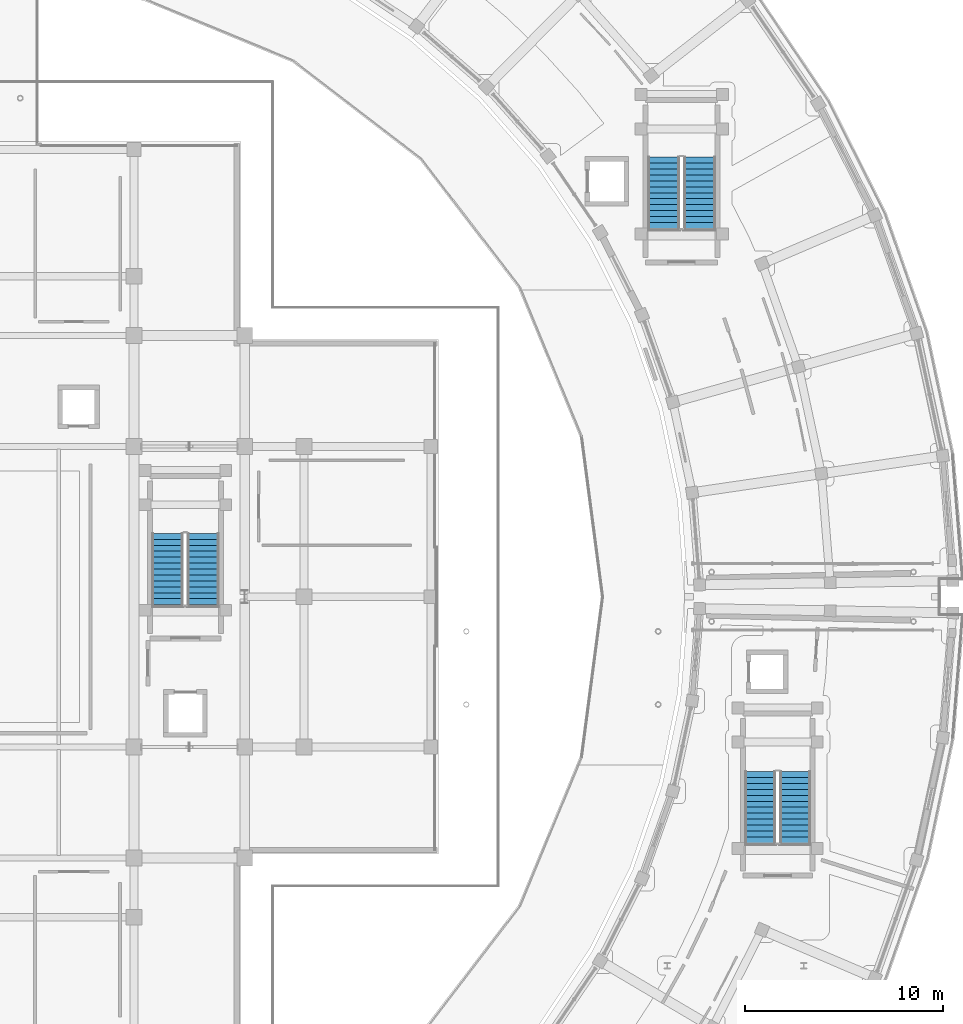
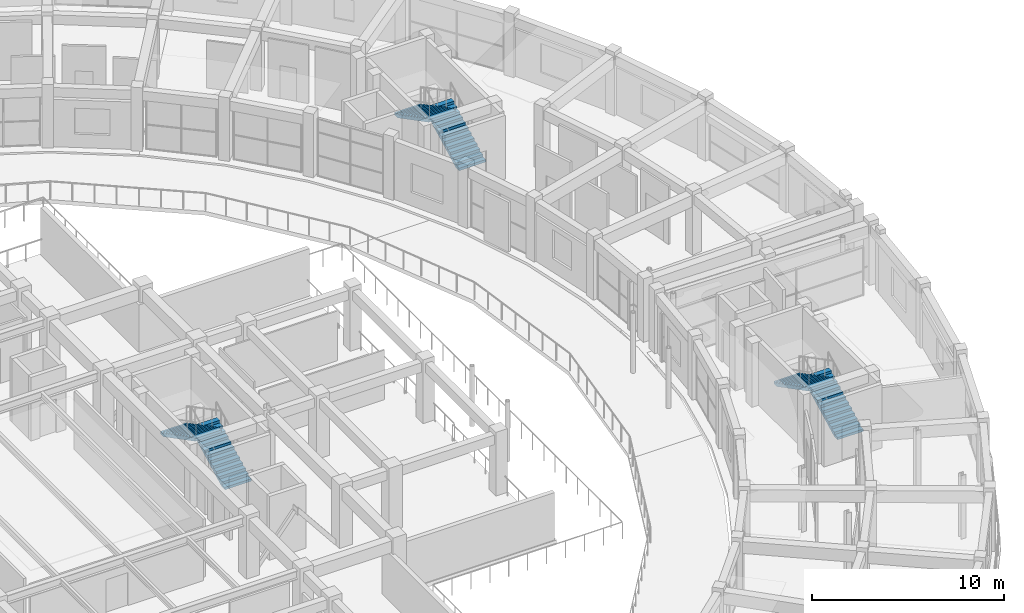
# One storey, part 63 of 83: 6 stair flights, 3 elements without a shape of their own.
"""IFC4 building model written with IfcOpenShell, lengths in metres."""

from ifc_helpers import new_model, si_unit, direction, frame, origin, place, context, subcontext, project, spatial, polyline, outline, extrude, material, type_object, element, aggregate, save


model = new_model("IFC4")

# Units and contexts
model_context = context("Model", 3, precision=1e-05, world=origin(), true_north=direction((0.0, 1.0)))
body_context = subcontext(model_context, "Body", "Model", "MODEL_VIEW")
ifc_project = project(units=[si_unit("LENGTHUNIT", "METRE"), si_unit("AREAUNIT", "SQUARE_METRE"), si_unit("VOLUMEUNIT", "CUBIC_METRE"), si_unit("PLANEANGLEUNIT", "RADIAN"), si_unit("MASSUNIT", "GRAM", prefix="KILO")], contexts=[model_context])

# Site, building, storey
site_placement = place(None, origin())
site = spatial("IfcSite", under=ifc_project, at=site_placement, CompositionType="ELEMENT")
building_placement = place(site_placement, origin())
building = spatial("IfcBuilding", under=site, at=building_placement, Name="Saryqyr Civic Hall", CompositionType="ELEMENT")
storey_placement = place(building_placement, frame((0.0, 0.0, 9.14990234375)))
storey = spatial("IfcBuildingStorey", under=building, at=storey_placement, Name="L02", CompositionType="ELEMENT", Elevation=9.14990234375)

# Stair, stair flights
ifc_material = material(Name="Concrete C35/45", Category="concrete")
stair_type_1 = type_object("IfcStairType", Name="INT-STR-ST-2", PredefinedType="HALF_TURN_STAIR", material=ifc_material)
stair_1_placement = place(storey_placement, origin())
stair_1 = element("IfcStair", 1, at=stair_1_placement, inside=storey, type_object=stair_type_1, Name="L02 Protected Exit Stair ST-2", PredefinedType="HALF_TURN_STAIR")
stair_flight_type_1 = type_object("IfcStairFlightType", Name="INT-SFL-ST-2", PredefinedType="STRAIGHT", material=ifc_material)
stair_flight_1_placement = place(storey_placement, frame((68.10009765625, 83.60009765625, 0.0), z_axis=(0.0, 0.0, 1.0), x_axis=(0.0, 1.0, 0.0)))
stair_flight_1 = element("IfcStairFlight", 2, at=stair_flight_1_placement, type_object=stair_flight_type_1, Name="ST-2 flight 1", NumberOfRisers=13, NumberOfTreads=12, PredefinedType="STRAIGHT", RiserHeight=0.155769231, TreadLength=0.3, context=body_context, shape_type="SweptSolid", body=[
    extrude(outline(polyline([(0.0, 0.0), (0.0, 0.15576171875), (0.300048828125, 0.15576171875), (0.300048828125, 0.3115234375), (0.60009765625, 0.3115234375), (0.60009765625, 0.46728515625), (0.89990234375, 0.46728515625), (0.89990234375, 0.623046875), (1.199951171875, 0.623046875), (1.199951171875, 0.77880859375), (1.5, 0.77880859375), (1.5, 0.9345703125), (1.800048828125, 0.9345703125), (1.800048828125, 1.09033203125), (2.10009765625, 1.09033203125), (2.10009765625, 1.24609375), (2.39990234375, 1.24609375), (2.39990234375, 1.40185546875), (2.699951171875, 1.40185546875), (2.699951171875, 1.5576171875), (3.0, 1.5576171875), (3.0, 1.71337890625), (3.300048828125, 1.71337890625), (3.300048828125, 1.869140625), (3.60009765625, 1.869140625), (3.60009765625, 2.02490234375), (3.60009765625, 1.700439453125), (0.3251953125, 0.0), (0.0, 0.0)])), frame((0.0, 0.800048828125, 0.0), z_axis=(0.0, -1.0, 0.0), x_axis=(1.0, 0.0, 0.0)), (0.0, 0.0, 1.0), 1.60009765625),
])
stair_flight_2_placement = place(storey_placement, frame((66.300048828125, 87.199951171875, 2.025146484375), z_axis=(0.0, 0.0, 1.0), x_axis=(0.0, -1.0, 0.0)))
stair_flight_2 = element("IfcStairFlight", 3, at=stair_flight_2_placement, type_object=stair_flight_type_1, Name="ST-2 flight 2", NumberOfRisers=13, NumberOfTreads=12, PredefinedType="STRAIGHT", RiserHeight=0.155769231, TreadLength=0.3, context=body_context, shape_type="SweptSolid", body=[
    extrude(outline(polyline([(0.0, 0.0), (0.0, 0.15576171875), (0.300048828125, 0.15576171875), (0.300048828125, 0.3115234375), (0.60009765625, 0.3115234375), (0.60009765625, 0.46728515625), (0.89990234375, 0.46728515625), (0.89990234375, 0.623046875), (1.199951171875, 0.623046875), (1.199951171875, 0.77880859375), (1.5, 0.77880859375), (1.5, 0.9345703125), (1.800048828125, 0.9345703125), (1.800048828125, 1.09033203125), (2.10009765625, 1.09033203125), (2.10009765625, 1.24609375), (2.39990234375, 1.24609375), (2.39990234375, 1.40185546875), (2.699951171875, 1.40185546875), (2.699951171875, 1.5576171875), (3.0, 1.5576171875), (3.0, 1.71337890625), (3.300048828125, 1.71337890625), (3.300048828125, 1.869140625), (3.60009765625, 1.869140625), (3.60009765625, 2.02490234375), (3.60009765625, 1.700439453125), (0.3251953125, 0.0), (0.0, 0.0)])), frame((0.0, 0.800048828125, 0.0), z_axis=(0.0, -1.0, 0.0), x_axis=(1.0, 0.0, 0.0)), (0.0, 0.0, 1.0), 1.60009765625),
])
aggregate(stair_1, [stair_flight_1, stair_flight_2])

stair_type_2 = type_object("IfcStairType", Name="INT-STR-ST-5", PredefinedType="HALF_TURN_STAIR", material=ifc_material)
stair_2_placement = place(storey_placement, origin())
stair_2 = element("IfcStair", 4, at=stair_2_placement, inside=storey, type_object=stair_type_2, Name="L02 Protected Exit Stair ST-5", PredefinedType="HALF_TURN_STAIR")
stair_flight_type_2 = type_object("IfcStairFlightType", Name="INT-SFL-ST-5", PredefinedType="STRAIGHT", material=ifc_material)
stair_flight_3_placement = place(storey_placement, frame((98.02001953125, 71.56005859375, 0.0), z_axis=(0.0, 0.0, 1.0), x_axis=(0.0, 1.0, 0.0)))
stair_flight_3 = element("IfcStairFlight", 5, at=stair_flight_3_placement, type_object=stair_flight_type_2, Name="ST-5 flight 1", NumberOfRisers=13, NumberOfTreads=12, PredefinedType="STRAIGHT", RiserHeight=0.155769231, TreadLength=0.3, context=body_context, shape_type="SweptSolid", body=[
    extrude(outline(polyline([(0.0, 0.0), (0.0, 0.15576171875), (0.300048828125, 0.15576171875), (0.300048828125, 0.3115234375), (0.60009765625, 0.3115234375), (0.60009765625, 0.46728515625), (0.89990234375, 0.46728515625), (0.89990234375, 0.623046875), (1.199951171875, 0.623046875), (1.199951171875, 0.77880859375), (1.5, 0.77880859375), (1.5, 0.9345703125), (1.800048828125, 0.9345703125), (1.800048828125, 1.09033203125), (2.10009765625, 1.09033203125), (2.10009765625, 1.24609375), (2.39990234375, 1.24609375), (2.39990234375, 1.40185546875), (2.699951171875, 1.40185546875), (2.699951171875, 1.5576171875), (3.0, 1.5576171875), (3.0, 1.71337890625), (3.300048828125, 1.71337890625), (3.300048828125, 1.869140625), (3.60009765625, 1.869140625), (3.60009765625, 2.02490234375), (3.60009765625, 1.700439453125), (0.3251953125, 0.0), (0.0, 0.0)])), frame((0.0, 0.780029296875, 0.0), z_axis=(0.0, -1.0, 0.0), x_axis=(1.0, 0.0, 0.0)), (0.0, 0.0, 1.0), 1.56005859375),
])
stair_flight_4_placement = place(storey_placement, frame((96.260009765625, 75.159912109375, 2.025146484375), z_axis=(0.0, 0.0, 1.0), x_axis=(0.0, -1.0, 0.0)))
stair_flight_4 = element("IfcStairFlight", 6, at=stair_flight_4_placement, type_object=stair_flight_type_2, Name="ST-5 flight 2", NumberOfRisers=13, NumberOfTreads=12, PredefinedType="STRAIGHT", RiserHeight=0.155769231, TreadLength=0.3, context=body_context, shape_type="SweptSolid", body=[
    extrude(outline(polyline([(0.0, 0.0), (0.0, 0.15576171875), (0.300048828125, 0.15576171875), (0.300048828125, 0.3115234375), (0.60009765625, 0.3115234375), (0.60009765625, 0.46728515625), (0.89990234375, 0.46728515625), (0.89990234375, 0.623046875), (1.199951171875, 0.623046875), (1.199951171875, 0.77880859375), (1.5, 0.77880859375), (1.5, 0.9345703125), (1.800048828125, 0.9345703125), (1.800048828125, 1.09033203125), (2.10009765625, 1.09033203125), (2.10009765625, 1.24609375), (2.39990234375, 1.24609375), (2.39990234375, 1.40185546875), (2.699951171875, 1.40185546875), (2.699951171875, 1.5576171875), (3.0, 1.5576171875), (3.0, 1.71337890625), (3.300048828125, 1.71337890625), (3.300048828125, 1.869140625), (3.60009765625, 1.869140625), (3.60009765625, 2.02490234375), (3.60009765625, 1.700439453125), (0.3251953125, 0.0), (0.0, 0.0)])), frame((0.0, 0.780029296875, 0.0), z_axis=(0.0, -1.0, 0.0), x_axis=(1.0, 0.0, 0.0)), (0.0, 0.0, 1.0), 1.56005859375),
])
aggregate(stair_2, [stair_flight_3, stair_flight_4])

stair_type_3 = type_object("IfcStairType", Name="INT-STR-ST-6", PredefinedType="HALF_TURN_STAIR", material=ifc_material)
stair_3_placement = place(storey_placement, origin())
stair_3 = element("IfcStair", 7, at=stair_3_placement, inside=storey, type_object=stair_type_3, Name="L02 Protected Exit Stair ST-6", PredefinedType="HALF_TURN_STAIR")
stair_flight_type_3 = type_object("IfcStairFlightType", Name="INT-SFL-ST-6", PredefinedType="STRAIGHT", material=ifc_material)
stair_flight_5_placement = place(storey_placement, frame((93.18994140625, 102.6201171875, 0.0), z_axis=(0.0, 0.0, 1.0), x_axis=(0.0, 1.0, 0.0)))
stair_flight_5 = element("IfcStairFlight", 8, at=stair_flight_5_placement, type_object=stair_flight_type_3, Name="ST-6 flight 1", NumberOfRisers=13, NumberOfTreads=12, PredefinedType="STRAIGHT", RiserHeight=0.155769231, TreadLength=0.3, context=body_context, shape_type="SweptSolid", body=[
    extrude(outline(polyline([(0.0, 0.0), (0.0, 0.15576171875), (0.300048828125, 0.15576171875), (0.300048828125, 0.3115234375), (0.60009765625, 0.3115234375), (0.60009765625, 0.46728515625), (0.89990234375, 0.46728515625), (0.89990234375, 0.623046875), (1.199951171875, 0.623046875), (1.199951171875, 0.77880859375), (1.5, 0.77880859375), (1.5, 0.9345703125), (1.800048828125, 0.9345703125), (1.800048828125, 1.09033203125), (2.10009765625, 1.09033203125), (2.10009765625, 1.24609375), (2.39990234375, 1.24609375), (2.39990234375, 1.40185546875), (2.699951171875, 1.40185546875), (2.699951171875, 1.5576171875), (3.0, 1.5576171875), (3.0, 1.71337890625), (3.300048828125, 1.71337890625), (3.300048828125, 1.869140625), (3.60009765625, 1.869140625), (3.60009765625, 2.02490234375), (3.60009765625, 1.700439453125), (0.3251953125, 0.0), (0.0, 0.0)])), frame((0.0, 0.81005859375, 0.0), z_axis=(0.0, -1.0, 0.0), x_axis=(1.0, 0.0, 0.0)), (0.0, 0.0, 1.0), 1.6201171875),
])
stair_flight_6_placement = place(storey_placement, frame((91.3701171875, 106.219970703125, 2.025146484375), z_axis=(0.0, 0.0, 1.0), x_axis=(0.0, -1.0, 0.0)))
stair_flight_6 = element("IfcStairFlight", 9, at=stair_flight_6_placement, type_object=stair_flight_type_3, Name="ST-6 flight 2", NumberOfRisers=13, NumberOfTreads=12, PredefinedType="STRAIGHT", RiserHeight=0.155769231, TreadLength=0.3, context=body_context, shape_type="SweptSolid", body=[
    extrude(outline(polyline([(0.0, 0.0), (0.0, 0.15576171875), (0.300048828125, 0.15576171875), (0.300048828125, 0.3115234375), (0.60009765625, 0.3115234375), (0.60009765625, 0.46728515625), (0.89990234375, 0.46728515625), (0.89990234375, 0.623046875), (1.199951171875, 0.623046875), (1.199951171875, 0.77880859375), (1.5, 0.77880859375), (1.5, 0.9345703125), (1.800048828125, 0.9345703125), (1.800048828125, 1.09033203125), (2.10009765625, 1.09033203125), (2.10009765625, 1.24609375), (2.39990234375, 1.24609375), (2.39990234375, 1.40185546875), (2.699951171875, 1.40185546875), (2.699951171875, 1.5576171875), (3.0, 1.5576171875), (3.0, 1.71337890625), (3.300048828125, 1.71337890625), (3.300048828125, 1.869140625), (3.60009765625, 1.869140625), (3.60009765625, 2.02490234375), (3.60009765625, 1.700439453125), (0.3251953125, 0.0), (0.0, 0.0)])), frame((0.0, 0.81005859375, 0.0), z_axis=(0.0, -1.0, 0.0), x_axis=(1.0, 0.0, 0.0)), (0.0, 0.0, 1.0), 1.6201171875),
])
aggregate(stair_3, [stair_flight_5, stair_flight_6])

save(model, "model.ifc")
